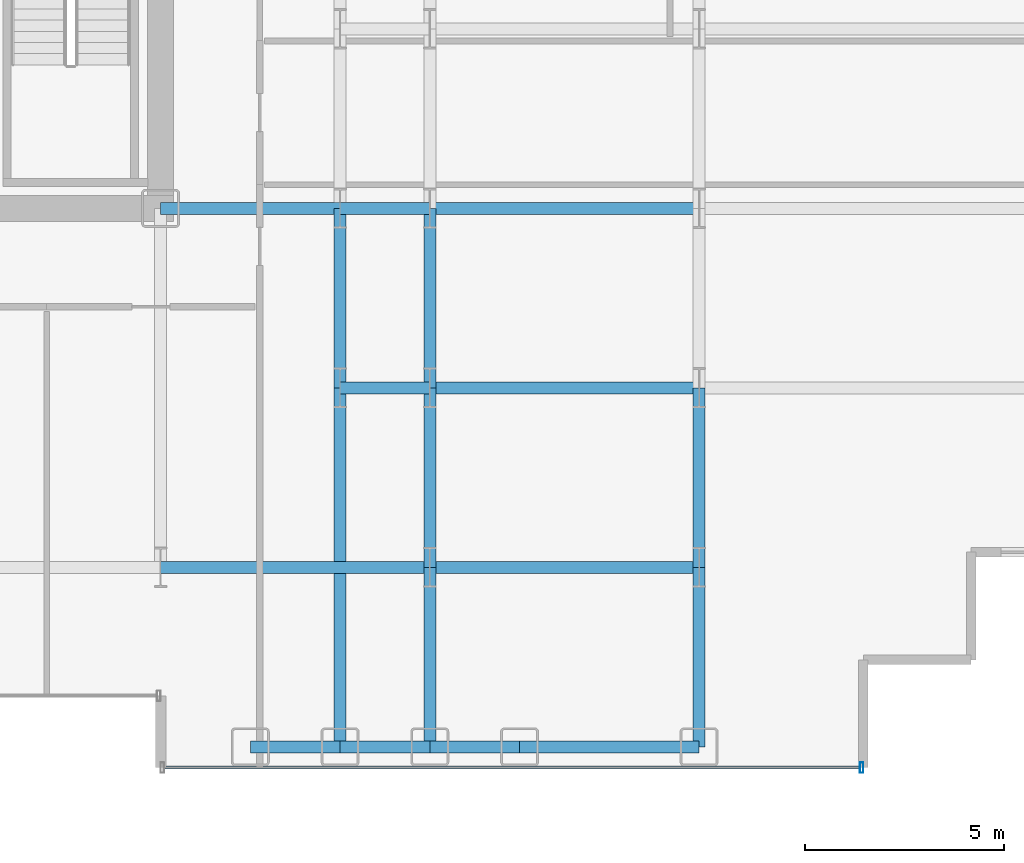
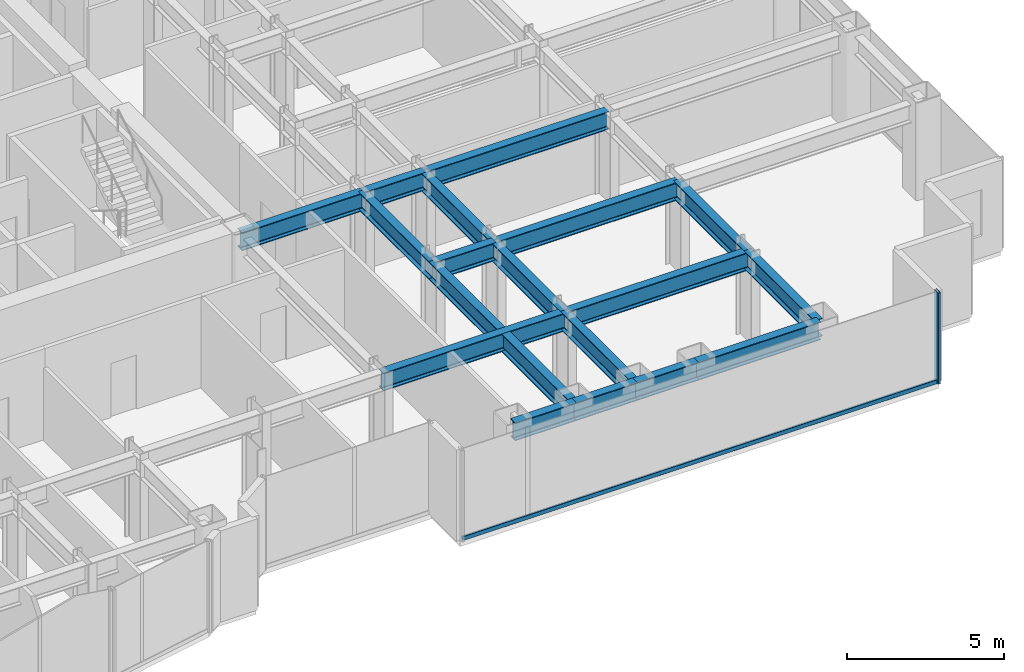
# One storey, part 7 of 26: 18 beams, 2 members, 1 element without a shape of its own.
"""IFC4 building model written with IfcOpenShell, lengths in metres."""

from ifc_helpers import new_model, si_unit, direction, frame, origin, origin_2d, place, context, subcontext, project, spatial, hollow_rectangle, i_section, extrude, source, transform, mapped, material, layer, layer_set, material_profile, profile_set, type_object, element, aggregate, save


model = new_model("IFC4")

# Units and contexts
model_context = context("Model", 3, precision=1e-05, world=origin(), true_north=direction((0.0, 1.0)))
body_context = subcontext(model_context, "Body", "Model", "MODEL_VIEW")
ifc_project = project(units=[si_unit("LENGTHUNIT", "METRE"), si_unit("AREAUNIT", "SQUARE_METRE"), si_unit("VOLUMEUNIT", "CUBIC_METRE"), si_unit("PLANEANGLEUNIT", "RADIAN"), si_unit("MASSUNIT", "GRAM", prefix="KILO")], contexts=[model_context])

# Site, building, storey
site_placement = place(None, origin())
site = spatial("IfcSite", under=ifc_project, at=site_placement, CompositionType="ELEMENT")
building_placement = place(site_placement, origin())
building = spatial("IfcBuilding", under=site, at=building_placement, Name="Nefas-Gora Pilgrimage Tower", CompositionType="ELEMENT")
storey_placement = place(building_placement, frame((0.0, 0.0, 40.60009765625)))
storey = spatial("IfcBuildingStorey", under=building, at=storey_placement, Name="L08", CompositionType="ELEMENT", Elevation=40.60009765625)

# Beams
ifc_material_1 = material(Name="Steel S355", Category="steel")
ifc_material_profile_1 = material_profile(ifc_material_1, i_section(OverallWidth=0.300048828125, OverallDepth=0.699951171875, WebThickness=0.01708984375, FlangeThickness=0.031982421875, FilletRadius=0.027099609375, at=origin_2d()), Name="HEB 700")
ifc_profile_set_1 = profile_set([ifc_material_profile_1], Name="Steel S355")
beam_type_1 = type_object("IfcBeamType", Name="BM-SPN-HEB600", PredefinedType="SPANDREL", material=ifc_profile_set_1)
shared_shape_1 = source(origin(), body_context, "Body", "SweptSolid", [
    extrude(i_section(OverallWidth=0.300048828125, OverallDepth=0.699951171875, WebThickness=0.01708984375, FlangeThickness=0.031982421875, FilletRadius=0.027099609375, at=origin_2d()), origin(), (0.0, 0.0, 1.0), 4.5),
])
beam_1_placement = place(storey_placement, frame((20.25, -22.5, 3.199951171875), z_axis=(1.0, 0.0, 0.0), x_axis=(0.0, 1.0, 0.0)))
element("IfcBeam", 1, at=beam_1_placement, inside=storey, type_object=beam_type_1, Name="L08 SP-01 beam", PredefinedType="SPANDREL", context=body_context, shape_type="MappedRepresentation", body=[
    mapped(shared_shape_1, transform((0.0, 0.0, 0.0), x_axis=(1.0, 0.0, 0.0), y_axis=(0.0, 1.0, 0.0), z_axis=(0.0, 0.0, 1.0), scale=1.0)),
])
ifc_material_profile_2 = material_profile(ifc_material_1, i_section(OverallWidth=0.300048828125, OverallDepth=0.699951171875, WebThickness=0.01708984375, FlangeThickness=0.031982421875, FilletRadius=0.027099609375, at=origin_2d()), Name="HEB 700")
ifc_profile_set_2 = profile_set([ifc_material_profile_2], Name="Steel S355")
beam_type_2 = type_object("IfcBeamType", Name="BM-GIR-HEB700", PredefinedType="BEAM", material=ifc_profile_set_2)
shared_shape_2 = source(origin(), body_context, "Body", "SweptSolid", [
    extrude(i_section(OverallWidth=0.300048828125, OverallDepth=0.699951171875, WebThickness=0.01708984375, FlangeThickness=0.031982421875, FilletRadius=0.027099609375, at=origin_2d()), origin(), (0.0, 0.0, 1.0), 9.0),
])
beam_2_placement = place(storey_placement, frame((15.75, -22.5, 3.199951171875), z_axis=(0.0, 1.0, 0.0), x_axis=(-1.0, 0.0, 0.0)))
element("IfcBeam", 2, at=beam_2_placement, inside=storey, type_object=beam_type_2, Name="L08 G-02 beam", PredefinedType="BEAM", context=body_context, shape_type="MappedRepresentation", body=[
    mapped(shared_shape_2, transform((0.0, 0.0, 0.0), x_axis=(1.0, 0.0, 0.0), y_axis=(0.0, 1.0, 0.0), z_axis=(0.0, 0.0, 1.0), scale=1.0)),
])
shared_shape_3 = source(origin(), body_context, "Body", "SweptSolid", [
    extrude(i_section(OverallWidth=0.300048828125, OverallDepth=0.699951171875, WebThickness=0.01708984375, FlangeThickness=0.031982421875, FilletRadius=0.027099609375, at=origin_2d()), origin(), (0.0, 0.0, 1.0), 4.5),
])
for number, where, z_axis, x_axis, name in (
    (3, (11.25, -9.0, 3.199951171875), (1.0, 0.0, 0.0), (0.0, 1.0, 0.0), "L08 G-02 beam"),
    (4, (15.75, -13.5, 3.199951171875), (0.0, 1.0, 0.0), (-1.0, 0.0, 0.0), "L08 G-02 beam"),
    (5, (18.0, -22.5, 3.199951171875), (0.0, 1.0, 0.0), (-1.0, 0.0, 0.0), "L08 G-02 beam"),
    (6, (18.0, -18.0, 3.199951171875), (0.0, 1.0, 0.0), (-1.0, 0.0, 0.0), "L08 G-02 beam"),
    (7, (18.0, -13.5, 3.199951171875), (0.0, 1.0, 0.0), (-1.0, 0.0, 0.0), "L08 G-02 beam"),
    (8, (24.75, -22.5, 3.199951171875), (0.0, 1.0, 0.0), (-1.0, 0.0, 0.0), "L08 G-02 beam"),
    (9, (24.75, -18.0, 3.199951171875), (0.0, 1.0, 0.0), (-1.0, 0.0, 0.0), "L08 G-02 beam"),
):
    element("IfcBeam", number, at=place(storey_placement, frame(where, z_axis=z_axis, x_axis=x_axis)), inside=storey, type_object=beam_type_2, Name=name, PredefinedType="BEAM", context=body_context, shape_type="MappedRepresentation", body=[
        mapped(shared_shape_3, transform((0.0, 0.0, 0.0), x_axis=(1.0, 0.0, 0.0), y_axis=(0.0, 1.0, 0.0), z_axis=(0.0, 0.0, 1.0), scale=1.0)),
    ])
shared_shape_4 = source(origin(), body_context, "Body", "SweptSolid", [
    extrude(i_section(OverallWidth=0.300048828125, OverallDepth=0.699951171875, WebThickness=0.01708984375, FlangeThickness=0.031982421875, FilletRadius=0.027099609375, at=origin_2d()), origin(), (0.0, 0.0, 1.0), 6.75),
])
for number, where, z_axis, x_axis, name in (
    (10, (11.25, -18.0, 3.199951171875), (1.0, 0.0, 0.0), (0.0, 1.0, 0.0), "L08 G-02 beam"),
    (11, (18.0, -18.0, 3.199951171875), (1.0, 0.0, 0.0), (0.0, 1.0, 0.0), "L08 G-02 beam"),
    (12, (18.0, -13.5, 3.199951171875), (1.0, 0.0, 0.0), (0.0, 1.0, 0.0), "L08 G-02 beam"),
    (13, (18.0, -9.0, 3.199951171875), (1.0, 0.0, 0.0), (0.0, 1.0, 0.0), "L08 G-02 beam"),
):
    element("IfcBeam", number, at=place(storey_placement, frame(where, z_axis=z_axis, x_axis=x_axis)), inside=storey, type_object=beam_type_2, Name=name, PredefinedType="BEAM", context=body_context, shape_type="MappedRepresentation", body=[
        mapped(shared_shape_4, transform((0.0, 0.0, 0.0), x_axis=(1.0, 0.0, 0.0), y_axis=(0.0, 1.0, 0.0), z_axis=(0.0, 0.0, 1.0), scale=1.0)),
    ])
shared_shape_5 = source(origin(), body_context, "Body", "SweptSolid", [
    extrude(i_section(OverallWidth=0.300048828125, OverallDepth=0.699951171875, WebThickness=0.01708984375, FlangeThickness=0.031982421875, FilletRadius=0.027099609375, at=origin_2d()), origin(), (0.0, 0.0, 1.0), 2.25),
])
for number, where, z_axis, x_axis, name in (
    (14, (13.5, -22.5, 3.199951171875), (1.0, 0.0, 0.0), (0.0, 1.0, 0.0), "L08 SP-01 beam"),
    (15, (15.75, -22.5, 3.199951171875), (1.0, 0.0, 0.0), (0.0, 1.0, 0.0), "L08 SP-01 beam"),
    (16, (18.0, -22.5, 3.199951171875), (1.0, 0.0, 0.0), (0.0, 1.0, 0.0), "L08 SP-01 beam"),
):
    element("IfcBeam", number, at=place(storey_placement, frame(where, z_axis=z_axis, x_axis=x_axis)), inside=storey, type_object=beam_type_1, Name=name, PredefinedType="SPANDREL", context=body_context, shape_type="MappedRepresentation", body=[
        mapped(shared_shape_5, transform((0.0, 0.0, 0.0), x_axis=(1.0, 0.0, 0.0), y_axis=(0.0, 1.0, 0.0), z_axis=(0.0, 0.0, 1.0), scale=1.0)),
    ])
shared_shape_6 = source(origin(), body_context, "Body", "SweptSolid", [
    extrude(i_section(OverallWidth=0.300048828125, OverallDepth=0.699951171875, WebThickness=0.01708984375, FlangeThickness=0.031982421875, FilletRadius=0.027099609375, at=origin_2d()), origin(), (0.0, 0.0, 1.0), 2.25),
])
for number, where, z_axis, x_axis, name in (
    (17, (15.75, -13.5, 3.199951171875), (1.0, 0.0, 0.0), (0.0, 1.0, 0.0), "L08 G-02 beam"),
    (18, (15.75, -9.0, 3.199951171875), (1.0, 0.0, 0.0), (0.0, 1.0, 0.0), "L08 G-02 beam"),
):
    element("IfcBeam", number, at=place(storey_placement, frame(where, z_axis=z_axis, x_axis=x_axis)), inside=storey, type_object=beam_type_2, Name=name, PredefinedType="BEAM", context=body_context, shape_type="MappedRepresentation", body=[
        mapped(shared_shape_6, transform((0.0, 0.0, 0.0), x_axis=(1.0, 0.0, 0.0), y_axis=(0.0, 1.0, 0.0), z_axis=(0.0, 0.0, 1.0), scale=1.0)),
    ])

# Curtain wall, members
ifc_material_2 = material(Name="Dark ceramic-fritted solar-control aluminium-glass curtain wall", Category="aluminium")
ifc_layer = layer(ifc_material_2, 0.219970703125)
ifc_layer_set = layer_set([ifc_layer], Name="Dark ceramic-fritted solar-control aluminium-glass curtain wall")
curtain_wall_type = type_object("IfcCurtainWallType", Name="CW-SYS-2", PredefinedType="NOTDEFINED", material=ifc_layer_set)
curtain_wall_placement = place(storey_placement, origin())
curtain_wall = element("IfcCurtainWall", 19, at=curtain_wall_placement, inside=storey, type_object=curtain_wall_type, Name="L08 Unitised Curtain Wall CW2", PredefinedType="NOTDEFINED")
ifc_material_3 = material(Name="Anodised architectural aluminium", Category="aluminium")
ifc_material_profile_3 = material_profile(ifc_material_3, hollow_rectangle(XDim=0.080078125, YDim=0.159912109375, WallThickness=0.00439453125, InnerFilletRadius=0.00439453125, OuterFilletRadius=0.009033203125, at=origin_2d()), Name="ALU TRANSOM 80x160")
ifc_profile_set_3 = profile_set([ifc_material_profile_3], Name="Anodised architectural aluminium")
member_type_1 = type_object("IfcMemberType", Name="CWM-TRN-2", PredefinedType="USERDEFINED", material=ifc_profile_set_3)
shared_shape_7 = source(origin(), body_context, "Body", "SweptSolid", [
    extrude(hollow_rectangle(XDim=0.080078125, YDim=0.159912109375, WallThickness=0.00439453125, InnerFilletRadius=0.00439453125, OuterFilletRadius=0.009033203125, at=origin_2d()), origin(), (0.0, 0.0, 1.0), 17.43994140625),
])
member_1_placement = place(storey_placement, frame((11.340087890625, -23.02001953125, 0.0498046875), z_axis=(1.0, 0.0, 0.0), x_axis=(0.0, 1.0, 0.0)))
member_1 = element("IfcMember", 20, at=member_1_placement, type_object=member_type_1, Name="CW2 Spandrel Transom", ObjectType="TRANSOM", PredefinedType="USERDEFINED", context=body_context, shape_type="MappedRepresentation", body=[
    mapped(shared_shape_7, transform((0.0, 0.0, 0.0), x_axis=(1.0, 0.0, 0.0), y_axis=(0.0, 1.0, 0.0), z_axis=(0.0, 0.0, 1.0), scale=1.0)),
])
ifc_material_profile_4 = material_profile(ifc_material_3, hollow_rectangle(XDim=0.090087890625, YDim=0.260009765625, WallThickness=0.006103515625, InnerFilletRadius=0.006103515625, OuterFilletRadius=0.011962890625, at=origin_2d()), Name="ALU MULLION 90x260")
ifc_profile_set_4 = profile_set([ifc_material_profile_4], Name="Anodised architectural aluminium")
member_type_2 = type_object("IfcMemberType", Name="CWM-MUL-2", PredefinedType="MULLION", material=ifc_profile_set_4)
shared_shape_8 = source(origin(), body_context, "Body", "SweptSolid", [
    extrude(hollow_rectangle(XDim=0.090087890625, YDim=0.260009765625, WallThickness=0.006103515625, InnerFilletRadius=0.006103515625, OuterFilletRadius=0.011962890625, at=origin_2d()), origin(), (0.0, 0.0, 1.0), 3.5498046875),
])
member_2_placement = place(storey_placement, frame((28.824951171875, -23.02001953125, 0.0), z_axis=(0.0, 0.0, 1.0), x_axis=(1.0, 0.0, 0.0)))
member_2 = element("IfcMember", 21, at=member_2_placement, type_object=member_type_2, Name="CW2 Mullion 2", PredefinedType="MULLION", context=body_context, shape_type="MappedRepresentation", body=[
    mapped(shared_shape_8, transform((0.0, 0.0, 0.0), x_axis=(1.0, 0.0, 0.0), y_axis=(0.0, 1.0, 0.0), z_axis=(0.0, 0.0, 1.0), scale=1.0)),
])
aggregate(curtain_wall, [member_2, member_1])

save(model, "model.ifc")
